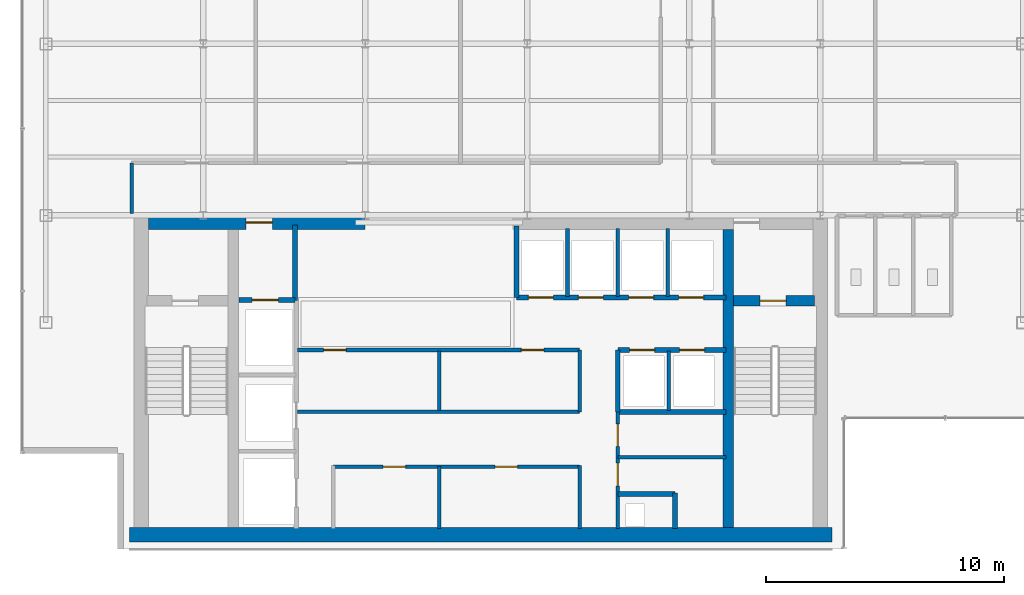
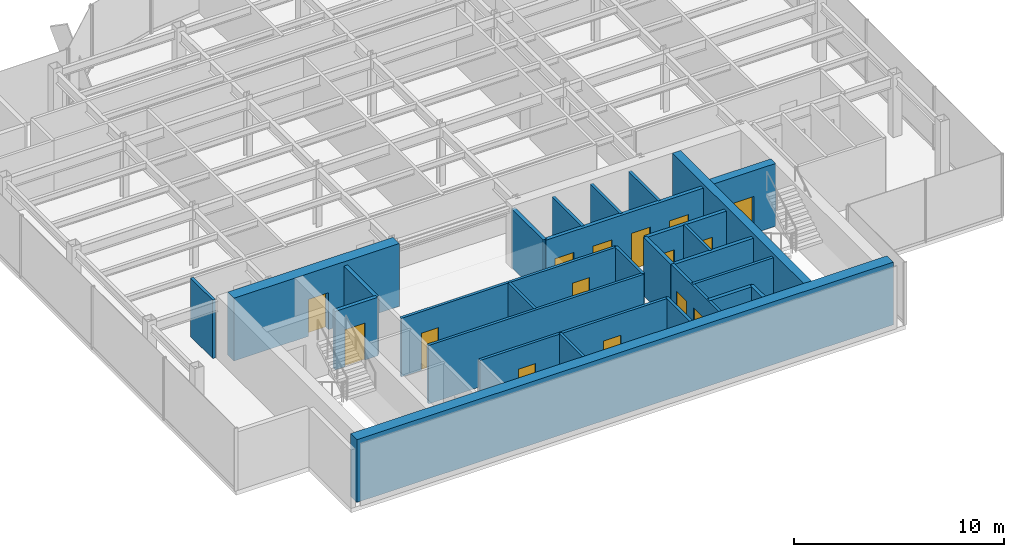
# One storey, part 17 of 22: 27 walls, 15 doors, 15 openings.
"""IFC4 building model written with IfcOpenShell, lengths in metres."""

from ifc_helpers import new_model, si_unit, derived_unit, direction, frame, frame_2d, origin, place, context, subcontext, project, spatial, rectangle, extrude, source, transform, mapped, material, layer, layer_set, type_object, element, fill, save


model = new_model("IFC4")

# Units and contexts
model_context = context("Model", 3, precision=1e-05, world=origin(), true_north=direction((0.0, 1.0)))
body_context = subcontext(model_context, "Body", "Model", "MODEL_VIEW")
ifc_project = project(units=[si_unit("LENGTHUNIT", "METRE"), si_unit("AREAUNIT", "SQUARE_METRE"), si_unit("VOLUMEUNIT", "CUBIC_METRE"), si_unit("PLANEANGLEUNIT", "RADIAN"), si_unit("MASSUNIT", "GRAM", prefix="KILO"), derived_unit("THERMALTRANSMITTANCEUNIT", [(si_unit("POWERUNIT", "WATT"), 1), (si_unit("LENGTHUNIT", "METRE"), -2), (si_unit("THERMODYNAMICTEMPERATUREUNIT", "KELVIN"), -1)])], contexts=[model_context])

# Site, building, storey
site_placement = place(None, origin())
site = spatial("IfcSite", under=ifc_project, at=site_placement, CompositionType="ELEMENT")
building_placement = place(site_placement, origin())
building = spatial("IfcBuilding", under=site, at=building_placement, Name="Skarnbrae Concourse Arena and Tower", CompositionType="ELEMENT")
storey_placement = place(building_placement, frame((0.0, 0.0, 203.199951171875)))
storey = spatial("IfcBuildingStorey", under=building, at=storey_placement, Name="L52", CompositionType="ELEMENT", Elevation=203.199951171875)

# Wall, opening, door
ifc_material_1 = material(Name="Concrete 50 MPa (C50/60)", Category="concrete")
ifc_layer_1 = layer(ifc_material_1, 0.449951171875)
ifc_layer_set_1 = layer_set([ifc_layer_1], Name="Concrete 50 MPa (C50/60)")
wall_type_1 = type_object("IfcWallType", Name="WALL-CORE-450-C50", PredefinedType="SHEAR", material=ifc_layer_set_1)
shared_shape_1 = source(origin(), body_context, "Body", "SweptSolid", [
    extrude(rectangle(XDim=3.389892578125, YDim=0.449951171875, at=frame_2d((1.69482421875, 0.0))), origin(), (0.0, 0.0, 1.0), 3.650146484375),
])
wall_1_placement = place(storey_placement, frame((29.860107421875, 10.419921875, 0.0), z_axis=(0.0, 0.0, 1.0), x_axis=(1.0, 0.0, 0.0)))
wall_1 = element("IfcWall", 1, at=wall_1_placement, inside=storey, type_object=wall_type_1, Name="L52 Rear core shear wall CW-ST2-N", PredefinedType="SHEAR", context=body_context, shape_type="MappedRepresentation", body=[
    mapped(shared_shape_1, transform((0.0, 0.0, 0.0))),
])
opening_1_placement = place(wall_1_placement, frame((1.10009765625, 0.0, 0.0)))
opening_1 = element("IfcOpeningElement", 2, at=opening_1_placement, cuts=wall_1, Name="Opening DT-03", PredefinedType="OPENING", context=body_context, shape_type="SweptSolid", body=[
    extrude(rectangle(XDim=1.10009765625, YDim=2.14990234375, at=frame_2d((0.550048828125, 1.074951171875))), frame((0.0, 0.23486328125, 0.0), z_axis=(0.0, -1.0, 0.0), x_axis=(1.0, 0.0, 0.0)), (0.0, 0.0, 1.0), 0.469970703125),
])
ifc_material_2 = material(Name="Steel CSA G40.21 350W", Category="steel")
door_type_1 = type_object("IfcDoorType", Name="DOOR-FIRE-1100-90M", OperationType="NOTDEFINED", PredefinedType="DOOR", material=ifc_material_2)
shared_shape_2 = source(origin(), body_context, "Body", "SweptSolid", [
    extrude(rectangle(XDim=1.10009765625, YDim=2.14990234375, at=frame_2d((0.550048828125, 1.074951171875))), frame((0.0, 0.02490234375, 0.0), z_axis=(0.0, -1.0, 0.0), x_axis=(1.0, 0.0, 0.0)), (0.0, 0.0, 1.0), 0.050048828125),
])
door_1_placement = place(opening_1_placement, frame((1.10009765625, 0.0, 0.0), z_axis=(0.0, 0.0, 1.0), x_axis=(-1.0, 0.0, 0.0)))
door_1 = element("IfcDoor", 3, at=door_1_placement, inside=storey, type_object=door_type_1, Name="D-1584 Stair ST-2 Door", OperationType="SINGLE_SWING_RIGHT", OverallHeight=2.14990234375, OverallWidth=1.10009765625, PredefinedType="DOOR", context=body_context, shape_type="MappedRepresentation", body=[
    mapped(shared_shape_2, transform((0.0, 0.0, 0.0))),
])
fill(opening_1, door_1)

# Wall
ifc_layer_2 = layer(ifc_material_1, 0.60009765625)
ifc_layer_set_2 = layer_set([ifc_layer_2], Name="Concrete 50 MPa (C50/60)")
wall_type_2 = type_object("IfcWallType", Name="WALL-CORE-600-C50", PredefinedType="SHEAR", material=ifc_layer_set_2)
shared_shape_3 = source(origin(), body_context, "Body", "SweptSolid", [
    extrude(rectangle(XDim=29.5, YDim=0.60009765625, at=frame_2d((14.75, 0.0))), origin(), (0.0, 0.0, 1.0), 3.650146484375),
])
wall_2_placement = place(storey_placement, frame((4.5, 0.60009765625, 0.0), z_axis=(0.0, 0.0, 1.0), x_axis=(1.0, 0.0, 0.0)))
element("IfcWall", 4, at=wall_2_placement, inside=storey, type_object=wall_type_2, Name="L52 Rear core shear wall CW-S", PredefinedType="SHEAR", context=body_context, shape_type="MappedRepresentation", body=[
    mapped(shared_shape_3, transform((0.0, 0.0, 0.0))),
])

# Wall, opening, door
shared_shape_4 = source(origin(), body_context, "Body", "SweptSolid", [
    extrude(rectangle(XDim=9.099853515625, YDim=0.60009765625, at=frame_2d((4.5498046875, 0.0))), origin(), (0.0, 0.0, 1.0), 3.650146484375),
])
wall_3_placement = place(storey_placement, frame((5.300048828125, 13.699951171875, 0.0), z_axis=(0.0, 0.0, 1.0), x_axis=(1.0, 0.0, 0.0)))
wall_3 = element("IfcWall", 5, at=wall_3_placement, inside=storey, type_object=wall_type_2, Name="L52 Rear core shear wall CW-NW", PredefinedType="SHEAR", context=body_context, shape_type="MappedRepresentation", body=[
    mapped(shared_shape_4, transform((0.0, 0.0, 0.0))),
])
opening_2_placement = place(wall_3_placement, frame((4.10009765625, 0.0, 0.0)))
opening_2 = element("IfcOpeningElement", 6, at=opening_2_placement, cuts=wall_3, Name="Opening DT-03", PredefinedType="OPENING", context=body_context, shape_type="SweptSolid", body=[
    extrude(rectangle(XDim=1.10009765625, YDim=2.14990234375, at=frame_2d((0.550048828125, 1.074951171875))), frame((0.0, 0.31005859375, 0.0), z_axis=(0.0, -1.0, 0.0), x_axis=(1.0, 0.0, 0.0)), (0.0, 0.0, 1.0), 0.6201171875),
])
door_2_placement = place(opening_2_placement, origin())
door_2 = element("IfcDoor", 7, at=door_2_placement, inside=storey, type_object=door_type_1, Name="D-1585 Firefighting Lobby Exit Door", OperationType="SINGLE_SWING_RIGHT", OverallHeight=2.14990234375, OverallWidth=1.10009765625, PredefinedType="DOOR", context=body_context, shape_type="MappedRepresentation", body=[
    mapped(shared_shape_2, transform((0.0, 0.0, 0.0))),
])
fill(opening_2, door_2)

# Walls
shared_shape_5 = source(origin(), body_context, "Body", "SweptSolid", [
    extrude(rectangle(XDim=12.5, YDim=0.449951171875, at=frame_2d((6.25, 0.0))), origin(), (0.0, 0.0, 1.0), 3.650146484375),
])
wall_4_placement = place(storey_placement, frame((29.635009765625, 0.89990234375, 0.0), z_axis=(0.0, 0.0, 1.0), x_axis=(0.0, 1.0, 0.0)))
element("IfcWall", 8, at=wall_4_placement, inside=storey, type_object=wall_type_1, Name="L52 Rear core shear wall CW-WEB-E", PredefinedType="SHEAR", context=body_context, shape_type="MappedRepresentation", body=[
    mapped(shared_shape_5, transform((0.0, 0.0, 0.0))),
])
ifc_material_3 = material(Name="Gypsum board on cold-formed steel studs", Category="steel")
ifc_layer_3 = layer(ifc_material_3, 0.199951171875)
ifc_layer_set_3 = layer_set([ifc_layer_3], Name="Gypsum board on cold-formed steel studs")
wall_type_3 = type_object("IfcWallType", Name="WALL-PART-200-2HR", PredefinedType="PARTITIONING", material=ifc_layer_set_3)
shared_shape_6 = source(origin(), body_context, "Body", "SweptSolid", [
    extrude(rectangle(XDim=3.18017578125, YDim=0.199951171875, at=frame_2d((1.590087890625, 0.0))), origin(), (0.0, 0.0, 1.0), 3.400146484375),
])
wall_5_placement = place(storey_placement, frame((11.449951171875, 10.419921875, 0.0), z_axis=(0.0, 0.0, 1.0), x_axis=(0.0, 1.0, 0.0)))
element("IfcWall", 9, at=wall_5_placement, inside=storey, type_object=wall_type_3, Name="L52 Interior partition wall W-L52-FFL-E", PredefinedType="PARTITIONING", context=body_context, shape_type="MappedRepresentation", body=[
    mapped(shared_shape_6, transform((0.0, 0.0, 0.0))),
])

# Wall, opening, door
shared_shape_7 = source(origin(), body_context, "Body", "SweptSolid", [
    extrude(rectangle(XDim=2.349853515625, YDim=0.199951171875, at=frame_2d((1.1748046875, 0.0))), origin(), (0.0, 0.0, 1.0), 3.400146484375),
])
wall_6_placement = place(storey_placement, frame((9.10009765625, 10.449951171875, 0.0), z_axis=(0.0, 0.0, 1.0), x_axis=(1.0, 0.0, 0.0)))
wall_6 = element("IfcWall", 10, at=wall_6_placement, inside=storey, type_object=wall_type_3, Name="L52 Interior partition wall W-L52-FL1-N", PredefinedType="PARTITIONING", context=body_context, shape_type="MappedRepresentation", body=[
    mapped(shared_shape_7, transform((0.0, 0.0, 0.0))),
])
opening_3_placement = place(wall_6_placement, frame((0.550048828125, 0.0, 0.0)))
opening_3 = element("IfcOpeningElement", 11, at=opening_3_placement, cuts=wall_6, Name="Opening LD-01", PredefinedType="OPENING", context=body_context, shape_type="SweptSolid", body=[
    extrude(rectangle(XDim=1.10009765625, YDim=2.14990234375, at=frame_2d((0.550048828125, 1.074951171875))), frame((0.0, 0.10986328125, 0.0), z_axis=(0.0, -1.0, 0.0), x_axis=(1.0, 0.0, 0.0)), (0.0, 0.0, 1.0), 0.219970703125),
])
door_type_2 = type_object("IfcDoorType", Name="DOOR-LIFT-SLIDE-1100", OperationType="SLIDING_TO_LEFT", PredefinedType="DOOR", material=ifc_material_2)
door_3_placement = place(opening_3_placement, origin())
door_3 = element("IfcDoor", 12, at=door_3_placement, inside=storey, type_object=door_type_2, Name="D-1587 Firefighting Lift Landing Door FL-01", OperationType="SLIDING_TO_LEFT", OverallHeight=2.14990234375, OverallWidth=1.10009765625, PredefinedType="DOOR", context=body_context, shape_type="MappedRepresentation", body=[
    mapped(shared_shape_2, transform((0.0, 0.0, 0.0))),
])
fill(opening_3, door_3)

# Walls
ifc_layer_4 = layer(ifc_material_3, 0.14990234375)
ifc_layer_set_4 = layer_set([ifc_layer_4], Name="Gypsum board on cold-formed steel studs")
wall_type_4 = type_object("IfcWallType", Name="WALL-PART-150", PredefinedType="PARTITIONING", material=ifc_layer_set_4)
shared_shape_8 = source(origin(), body_context, "Body", "SweptSolid", [
    extrude(rectangle(XDim=2.599853515625, YDim=0.14990234375, at=frame_2d((1.2998046875, 0.0))), origin(), (0.0, 0.0, 1.0), 3.400146484375),
])
wall_7_placement = place(storey_placement, frame((17.5, 0.85009765625, 0.0), z_axis=(0.0, 0.0, 1.0), x_axis=(0.0, 1.0, 0.0)))
element("IfcWall", 13, at=wall_7_placement, inside=storey, type_object=wall_type_4, Name="L52 Interior partition wall W-L52-B1M-C1", PredefinedType="PARTITIONING", context=body_context, shape_type="MappedRepresentation", body=[
    mapped(shared_shape_8, transform((0.0, 0.0, 0.0))),
])
shared_shape_9 = source(origin(), body_context, "Body", "SweptSolid", [
    extrude(rectangle(XDim=2.60009765625, YDim=0.199951171875, at=frame_2d((1.300048828125, 0.0))), origin(), (0.0, 0.0, 1.0), 3.400146484375),
])
wall_8_placement = place(storey_placement, frame((25.0, 5.75, 0.0), z_axis=(0.0, 0.0, 1.0), x_axis=(0.0, 1.0, 0.0)))
element("IfcWall", 14, at=wall_8_placement, inside=storey, type_object=wall_type_3, Name="L52 Interior partition wall W-L52-B3S-W", PredefinedType="PARTITIONING", context=body_context, shape_type="MappedRepresentation", body=[
    mapped(shared_shape_9, transform((0.0, 0.0, 0.0))),
])
shared_shape_10 = source(origin(), body_context, "Body", "SweptSolid", [
    extrude(rectangle(XDim=2.5, YDim=0.14990234375, at=frame_2d((1.25, 0.0))), origin(), (0.0, 0.0, 1.0), 3.400146484375),
])
for number, where, z_axis, x_axis, name in (
    (15, (17.5, 5.800048828125, 0.0), (0.0, 0.0, 1.0), (0.0, 1.0, 0.0), "L52 Interior partition wall W-L52-B2M-MID"),
    (16, (27.139892578125, 5.800048828125, 0.0), (0.0, 0.0, 1.0), (0.0, 1.0, 0.0), "L52 Interior partition wall W-L52-B3S-P1"),
):
    element("IfcWall", number, at=place(storey_placement, frame(where, z_axis=z_axis, x_axis=x_axis)), inside=storey, type_object=wall_type_4, Name=name, PredefinedType="PARTITIONING", context=body_context, shape_type="MappedRepresentation", body=[
        mapped(shared_shape_10, transform((0.0, 0.0, 0.0))),
    ])

# Wall, openings, doors
shared_shape_11 = source(origin(), body_context, "Body", "SweptSolid", [
    extrude(rectangle(XDim=8.800048828125, YDim=0.199951171875, at=frame_2d((4.39990234375, 0.0))), origin(), (0.0, 0.0, 1.0), 3.400146484375),
])
wall_9_placement = place(storey_placement, frame((20.75, 10.550048828125, 0.0), z_axis=(0.0, 0.0, 1.0), x_axis=(1.0, 0.0, 0.0)))
wall_9 = element("IfcWall", 17, at=wall_9_placement, inside=storey, type_object=wall_type_3, Name="L52 Interior partition wall W-L52-B3N-S", PredefinedType="PARTITIONING", context=body_context, shape_type="MappedRepresentation", body=[
    mapped(shared_shape_11, transform((0.0, 0.0, 0.0))),
])
opening_4_placement = place(wall_9_placement, frame((0.5, 0.0, 0.0)))
opening_4 = element("IfcOpeningElement", 18, at=opening_4_placement, cuts=wall_9, Name="Opening LD-04", PredefinedType="OPENING", context=body_context, shape_type="SweptSolid", body=[
    extrude(rectangle(XDim=1.050048828125, YDim=2.14990234375, at=frame_2d((0.52490234375, 1.074951171875))), frame((0.0, 0.10986328125, 0.0), z_axis=(0.0, -1.0, 0.0), x_axis=(1.0, 0.0, 0.0)), (0.0, 0.0, 1.0), 0.219970703125),
])
opening_5_placement = place(wall_9_placement, frame((2.60009765625, 0.0, 0.0)))
opening_5 = element("IfcOpeningElement", 19, at=opening_5_placement, cuts=wall_9, Name="Opening LD-04", PredefinedType="OPENING", context=body_context, shape_type="SweptSolid", body=[
    extrude(rectangle(XDim=1.050048828125, YDim=2.14990234375, at=frame_2d((0.52490234375, 1.074951171875))), frame((0.0, 0.10986328125, 0.0), z_axis=(0.0, -1.0, 0.0), x_axis=(1.0, 0.0, 0.0)), (0.0, 0.0, 1.0), 0.219970703125),
])
opening_6_placement = place(wall_9_placement, frame((4.699951171875, 0.0, 0.0)))
opening_6 = element("IfcOpeningElement", 20, at=opening_6_placement, cuts=wall_9, Name="Opening LD-04", PredefinedType="OPENING", context=body_context, shape_type="SweptSolid", body=[
    extrude(rectangle(XDim=1.050048828125, YDim=2.14990234375, at=frame_2d((0.52490234375, 1.074951171875))), frame((0.0, 0.10986328125, 0.0), z_axis=(0.0, -1.0, 0.0), x_axis=(1.0, 0.0, 0.0)), (0.0, 0.0, 1.0), 0.219970703125),
])
opening_7_placement = place(wall_9_placement, frame((6.800048828125, 0.0, 0.0)))
opening_7 = element("IfcOpeningElement", 21, at=opening_7_placement, cuts=wall_9, Name="Opening LD-04", PredefinedType="OPENING", context=body_context, shape_type="SweptSolid", body=[
    extrude(rectangle(XDim=1.050048828125, YDim=2.14990234375, at=frame_2d((0.52490234375, 1.074951171875))), frame((0.0, 0.10986328125, 0.0), z_axis=(0.0, -1.0, 0.0), x_axis=(1.0, 0.0, 0.0)), (0.0, 0.0, 1.0), 0.219970703125),
])
ifc_material_4 = material(Name="Bronze anodised aluminium 6063-T6", Category="aluminium")
door_type_3 = type_object("IfcDoorType", Name="DOOR-LIFT-SLIDE-1050H", OperationType="SLIDING_TO_LEFT", PredefinedType="DOOR", material=ifc_material_4)
shared_shape_12 = source(origin(), body_context, "Body", "SweptSolid", [
    extrude(rectangle(XDim=1.050048828125, YDim=2.14990234375, at=frame_2d((0.52490234375, 1.074951171875))), frame((0.0, 0.02490234375, 0.0), z_axis=(0.0, -1.0, 0.0), x_axis=(1.0, 0.0, 0.0)), (0.0, 0.0, 1.0), 0.050048828125),
])
door_4_placement = place(opening_4_placement, frame((1.050048828125, 0.0, 0.0), z_axis=(0.0, 0.0, 1.0), x_axis=(-1.0, 0.0, 0.0)))
door_4 = element("IfcDoor", 22, at=door_4_placement, inside=storey, type_object=door_type_3, Name="D-1594 Passenger Lift Landing Door PL-3A", OperationType="SLIDING_TO_LEFT", OverallHeight=2.14990234375, OverallWidth=1.050048828125, PredefinedType="DOOR", context=body_context, shape_type="MappedRepresentation", body=[
    mapped(shared_shape_12, transform((0.0, 0.0, 0.0))),
])
fill(opening_4, door_4)
door_5_placement = place(opening_5_placement, frame((1.050048828125, 0.0, 0.0), z_axis=(0.0, 0.0, 1.0), x_axis=(-1.0, 0.0, 0.0)))
door_5 = element("IfcDoor", 23, at=door_5_placement, inside=storey, type_object=door_type_3, Name="D-1595 Passenger Lift Landing Door PL-3B", OperationType="SLIDING_TO_LEFT", OverallHeight=2.14990234375, OverallWidth=1.050048828125, PredefinedType="DOOR", context=body_context, shape_type="MappedRepresentation", body=[
    mapped(shared_shape_12, transform((0.0, 0.0, 0.0))),
])
fill(opening_5, door_5)
door_6_placement = place(opening_6_placement, frame((1.050048828125, 0.0, 0.0), z_axis=(0.0, 0.0, 1.0), x_axis=(-1.0, 0.0, 0.0)))
door_6 = element("IfcDoor", 24, at=door_6_placement, inside=storey, type_object=door_type_3, Name="D-1596 Passenger Lift Landing Door PL-3C", OperationType="SLIDING_TO_LEFT", OverallHeight=2.14990234375, OverallWidth=1.050048828125, PredefinedType="DOOR", context=body_context, shape_type="MappedRepresentation", body=[
    mapped(shared_shape_12, transform((0.0, 0.0, 0.0))),
])
fill(opening_6, door_6)
door_7_placement = place(opening_7_placement, frame((1.050048828125, 0.0, 0.0), z_axis=(0.0, 0.0, 1.0), x_axis=(-1.0, 0.0, 0.0)))
door_7 = element("IfcDoor", 25, at=door_7_placement, inside=storey, type_object=door_type_3, Name="D-1597 Passenger Lift Landing Door PL-3D", OperationType="SLIDING_TO_LEFT", OverallHeight=2.14990234375, OverallWidth=1.050048828125, PredefinedType="DOOR", context=body_context, shape_type="MappedRepresentation", body=[
    mapped(shared_shape_12, transform((0.0, 0.0, 0.0))),
])
fill(opening_7, door_7)

# Walls
shared_shape_13 = source(origin(), body_context, "Body", "SweptSolid", [
    extrude(rectangle(XDim=3.0, YDim=0.199951171875, at=frame_2d((1.5, 0.0))), origin(), (0.0, 0.0, 1.0), 3.400146484375),
])
wall_10_placement = place(storey_placement, frame((20.75, 10.550048828125, 0.0), z_axis=(0.0, 0.0, 1.0), x_axis=(0.0, 1.0, 0.0)))
element("IfcWall", 26, at=wall_10_placement, inside=storey, type_object=wall_type_3, Name="L52 Interior partition wall W-L52-B3N-W", PredefinedType="PARTITIONING", context=body_context, shape_type="MappedRepresentation", body=[
    mapped(shared_shape_13, transform((0.0, 0.0, 0.0))),
])
shared_shape_14 = source(origin(), body_context, "Body", "SweptSolid", [
    extrude(rectangle(XDim=2.849853515625, YDim=0.14990234375, at=frame_2d((1.4248046875, 0.0))), origin(), (0.0, 0.0, 1.0), 3.400146484375),
])
for number, where, z_axis, x_axis, name in (
    (27, (22.889892578125, 10.60009765625, 0.0), (0.0, 0.0, 1.0), (0.0, 1.0, 0.0), "L52 Interior partition wall W-L52-B3N-P1"),
    (28, (24.989990234375, 10.60009765625, 0.0), (0.0, 0.0, 1.0), (0.0, 1.0, 0.0), "L52 Interior partition wall W-L52-B3N-P2"),
    (29, (27.090087890625, 10.60009765625, 0.0), (0.0, 0.0, 1.0), (0.0, 1.0, 0.0), "L52 Interior partition wall W-L52-B3N-P3"),
):
    element("IfcWall", number, at=place(storey_placement, frame(where, z_axis=z_axis, x_axis=x_axis)), inside=storey, type_object=wall_type_4, Name=name, PredefinedType="PARTITIONING", context=body_context, shape_type="MappedRepresentation", body=[
        mapped(shared_shape_14, transform((0.0, 0.0, 0.0))),
    ])

# Wall, openings, doors
shared_shape_15 = source(origin(), body_context, "Body", "SweptSolid", [
    extrude(rectangle(XDim=4.550048828125, YDim=0.199951171875, at=frame_2d((2.27490234375, 0.0))), origin(), (0.0, 0.0, 1.0), 3.400146484375),
])
wall_11_placement = place(storey_placement, frame((25.0, 8.35009765625, 0.0), z_axis=(0.0, 0.0, 1.0), x_axis=(1.0, 0.0, 0.0)))
wall_11 = element("IfcWall", 30, at=wall_11_placement, inside=storey, type_object=wall_type_3, Name="L52 Interior partition wall W-L52-B3S-N", PredefinedType="PARTITIONING", context=body_context, shape_type="MappedRepresentation", body=[
    mapped(shared_shape_15, transform((0.0, 0.0, 0.0))),
])
opening_8_placement = place(wall_11_placement, frame((0.5, 0.0, 0.0)))
opening_8 = element("IfcOpeningElement", 31, at=opening_8_placement, cuts=wall_11, Name="Opening LD-04", PredefinedType="OPENING", context=body_context, shape_type="SweptSolid", body=[
    extrude(rectangle(XDim=1.050048828125, YDim=2.14990234375, at=frame_2d((0.52490234375, 1.074951171875))), frame((0.0, 0.10986328125, 0.0), z_axis=(0.0, -1.0, 0.0), x_axis=(1.0, 0.0, 0.0)), (0.0, 0.0, 1.0), 0.219970703125),
])
opening_9_placement = place(wall_11_placement, frame((2.60009765625, 0.0, 0.0)))
opening_9 = element("IfcOpeningElement", 32, at=opening_9_placement, cuts=wall_11, Name="Opening LD-04", PredefinedType="OPENING", context=body_context, shape_type="SweptSolid", body=[
    extrude(rectangle(XDim=1.050048828125, YDim=2.14990234375, at=frame_2d((0.52490234375, 1.074951171875))), frame((0.0, 0.10986328125, 0.0), z_axis=(0.0, -1.0, 0.0), x_axis=(1.0, 0.0, 0.0)), (0.0, 0.0, 1.0), 0.219970703125),
])
door_8_placement = place(opening_8_placement, origin())
door_8 = element("IfcDoor", 33, at=door_8_placement, inside=storey, type_object=door_type_3, Name="D-1598 Passenger Lift Landing Door PL-3E", OperationType="SLIDING_TO_LEFT", OverallHeight=2.14990234375, OverallWidth=1.050048828125, PredefinedType="DOOR", context=body_context, shape_type="MappedRepresentation", body=[
    mapped(shared_shape_12, transform((0.0, 0.0, 0.0))),
])
fill(opening_8, door_8)
door_9_placement = place(opening_9_placement, origin())
door_9 = element("IfcDoor", 34, at=door_9_placement, inside=storey, type_object=door_type_3, Name="D-1599 Passenger Lift Landing Door PL-3F", OperationType="SLIDING_TO_LEFT", OverallHeight=2.14990234375, OverallWidth=1.050048828125, PredefinedType="DOOR", context=body_context, shape_type="MappedRepresentation", body=[
    mapped(shared_shape_12, transform((0.0, 0.0, 0.0))),
])
fill(opening_9, door_9)

# Wall
wall_12_placement = place(storey_placement, frame((25.0, 5.75, 0.0), z_axis=(0.0, 0.0, 1.0), x_axis=(1.0, 0.0, 0.0)))
element("IfcWall", 35, at=wall_12_placement, inside=storey, type_object=wall_type_3, Name="L52 Interior partition wall W-L52-B3S-S", PredefinedType="PARTITIONING", context=body_context, shape_type="MappedRepresentation", body=[
    mapped(shared_shape_15, transform((0.0, 0.0, 0.0))),
])

# Wall, openings, doors
ifc_layer_5 = layer(ifc_material_3, 0.14990234375)
ifc_layer_set_5 = layer_set([ifc_layer_5], Name="Gypsum board on cold-formed steel studs")
wall_type_5 = type_object("IfcWallType", Name="WALL-PART-150-1HR", PredefinedType="PARTITIONING", material=ifc_layer_set_5)
shared_shape_16 = source(origin(), body_context, "Body", "SweptSolid", [
    extrude(rectangle(XDim=4.89990234375, YDim=0.14990234375, at=frame_2d((2.449951171875, 0.0))), origin(), (0.0, 0.0, 1.0), 3.400146484375),
])
wall_13_placement = place(storey_placement, frame((25.0, 0.85009765625, 0.0), z_axis=(0.0, 0.0, 1.0), x_axis=(0.0, 1.0, 0.0)))
wall_13 = element("IfcWall", 36, at=wall_13_placement, inside=storey, type_object=wall_type_5, Name="L52 Interior partition wall W-L52-CSV-W", PredefinedType="PARTITIONING", context=body_context, shape_type="MappedRepresentation", body=[
    mapped(shared_shape_16, transform((0.0, 0.0, 0.0))),
])
opening_10_placement = place(wall_13_placement, frame((1.800048828125, 0.0, 0.0)))
opening_10 = element("IfcOpeningElement", 37, at=opening_10_placement, cuts=wall_13, Name="Opening DT-04", PredefinedType="OPENING", context=body_context, shape_type="SweptSolid", body=[
    extrude(rectangle(XDim=0.949951171875, YDim=2.14990234375, at=frame_2d((0.47509765625, 1.074951171875))), frame((0.0, 0.0849609375, 0.0), z_axis=(0.0, -1.0, 0.0), x_axis=(1.0, 0.0, 0.0)), (0.0, 0.0, 1.0), 0.169921875),
])
opening_11_placement = place(wall_13_placement, frame((3.449951171875, 0.0, 0.0)))
opening_11 = element("IfcOpeningElement", 38, at=opening_11_placement, cuts=wall_13, Name="Opening DT-04", PredefinedType="OPENING", context=body_context, shape_type="SweptSolid", body=[
    extrude(rectangle(XDim=0.949951171875, YDim=2.14990234375, at=frame_2d((0.47509765625, 1.074951171875))), frame((0.0, 0.0849609375, 0.0), z_axis=(0.0, -1.0, 0.0), x_axis=(1.0, 0.0, 0.0)), (0.0, 0.0, 1.0), 0.169921875),
])
door_type_4 = type_object("IfcDoorType", Name="DOOR-INT-950-45M", OperationType="NOTDEFINED", PredefinedType="DOOR", material=ifc_material_2)
shared_shape_17 = source(origin(), body_context, "Body", "SweptSolid", [
    extrude(rectangle(XDim=0.949951171875, YDim=2.14990234375, at=frame_2d((0.47509765625, 1.074951171875))), frame((0.0, 0.02490234375, 0.0), z_axis=(0.0, -1.0, 0.0), x_axis=(1.0, 0.0, 0.0)), (0.0, 0.0, 1.0), 0.050048828125),
])
door_10_placement = place(opening_10_placement, origin())
door_10 = element("IfcDoor", 39, at=door_10_placement, inside=storey, type_object=door_type_4, Name="D-1600 Electrical Switch Room Door", OperationType="SINGLE_SWING_LEFT", OverallHeight=2.14990234375, OverallWidth=0.949951171875, PredefinedType="DOOR", context=body_context, shape_type="MappedRepresentation", body=[
    mapped(shared_shape_17, transform((0.0, 0.0, 0.0))),
])
fill(opening_10, door_10)
door_11_placement = place(opening_11_placement, origin())
door_11 = element("IfcDoor", 40, at=door_11_placement, inside=storey, type_object=door_type_4, Name="D-1601 Cleaner Store Door", OperationType="SINGLE_SWING_RIGHT", OverallHeight=2.14990234375, OverallWidth=0.949951171875, PredefinedType="DOOR", context=body_context, shape_type="MappedRepresentation", body=[
    mapped(shared_shape_17, transform((0.0, 0.0, 0.0))),
])
fill(opening_11, door_11)

# Walls
shared_shape_18 = source(origin(), body_context, "Body", "SweptSolid", [
    extrude(rectangle(XDim=2.39990234375, YDim=0.199951171875, at=frame_2d((1.199951171875, 0.0))), origin(), (0.0, 0.0, 1.0), 3.400146484375),
])
wall_14_placement = place(storey_placement, frame((25.0, 2.300048828125, 0.0), z_axis=(0.0, 0.0, 1.0), x_axis=(1.0, 0.0, 0.0)))
element("IfcWall", 41, at=wall_14_placement, inside=storey, type_object=wall_type_3, Name="L52 Interior partition wall W-L52-MEP-N", PredefinedType="PARTITIONING", context=body_context, shape_type="MappedRepresentation", body=[
    mapped(shared_shape_18, transform((0.0, 0.0, 0.0))),
])
shared_shape_19 = source(origin(), body_context, "Body", "SweptSolid", [
    extrude(rectangle(XDim=1.5, YDim=0.199951171875, at=frame_2d((0.75, 0.0))), origin(), (0.0, 0.0, 1.0), 3.400146484375),
])
wall_15_placement = place(storey_placement, frame((27.39990234375, 0.85009765625, 0.0), z_axis=(0.0, 0.0, 1.0), x_axis=(0.0, 1.0, 0.0)))
element("IfcWall", 42, at=wall_15_placement, inside=storey, type_object=wall_type_3, Name="L52 Interior partition wall W-L52-MEP-E", PredefinedType="PARTITIONING", context=body_context, shape_type="MappedRepresentation", body=[
    mapped(shared_shape_19, transform((0.0, 0.0, 0.0))),
])
shared_shape_20 = source(origin(), body_context, "Body", "SweptSolid", [
    extrude(rectangle(XDim=4.550048828125, YDim=0.14990234375, at=frame_2d((2.27490234375, 0.0))), origin(), (0.0, 0.0, 1.0), 3.400146484375),
])
wall_16_placement = place(storey_placement, frame((25.0, 3.85009765625, 0.0), z_axis=(0.0, 0.0, 1.0), x_axis=(1.0, 0.0, 0.0)))
element("IfcWall", 43, at=wall_16_placement, inside=storey, type_object=wall_type_4, Name="L52 Interior partition wall W-L52-CSV-H", PredefinedType="PARTITIONING", context=body_context, shape_type="MappedRepresentation", body=[
    mapped(shared_shape_20, transform((0.0, 0.0, 0.0))),
])
shared_shape_21 = source(origin(), body_context, "Body", "SweptSolid", [
    extrude(rectangle(XDim=2.64990234375, YDim=0.14990234375, at=frame_2d((1.324951171875, 0.0))), origin(), (0.0, 0.0, 1.0), 3.400146484375),
])
wall_17_placement = place(storey_placement, frame((23.39990234375, 0.85009765625, 0.0), z_axis=(0.0, 0.0, 1.0), x_axis=(0.0, 1.0, 0.0)))
element("IfcWall", 44, at=wall_17_placement, inside=storey, type_object=wall_type_5, Name="L52 Interior partition wall W-L52-B1M-E", PredefinedType="PARTITIONING", context=body_context, shape_type="MappedRepresentation", body=[
    mapped(shared_shape_21, transform((0.0, 0.0, 0.0))),
])

# Wall, openings, doors
shared_shape_22 = source(origin(), body_context, "Body", "SweptSolid", [
    extrude(rectangle(XDim=10.349853515625, YDim=0.14990234375, at=frame_2d((5.1748046875, 0.0))), origin(), (0.0, 0.0, 1.0), 3.400146484375),
])
wall_18_placement = place(storey_placement, frame((13.050048828125, 3.449951171875, 0.0), z_axis=(0.0, 0.0, 1.0), x_axis=(1.0, 0.0, 0.0)))
wall_18 = element("IfcWall", 45, at=wall_18_placement, inside=storey, type_object=wall_type_5, Name="L52 Interior partition wall W-L52-B1M-N", PredefinedType="PARTITIONING", context=body_context, shape_type="MappedRepresentation", body=[
    mapped(shared_shape_22, transform((0.0, 0.0, 0.0))),
])
opening_12_placement = place(wall_18_placement, frame((2.10009765625, 0.0, 0.0)))
opening_12 = element("IfcOpeningElement", 46, at=opening_12_placement, cuts=wall_18, Name="Opening DT-04", PredefinedType="OPENING", context=body_context, shape_type="SweptSolid", body=[
    extrude(rectangle(XDim=0.949951171875, YDim=2.14990234375, at=frame_2d((0.47509765625, 1.074951171875))), frame((0.0, 0.0849609375, 0.0), z_axis=(0.0, -1.0, 0.0), x_axis=(1.0, 0.0, 0.0)), (0.0, 0.0, 1.0), 0.169921875),
])
opening_13_placement = place(wall_18_placement, frame((6.800048828125, 0.0, 0.0)))
opening_13 = element("IfcOpeningElement", 47, at=opening_13_placement, cuts=wall_18, Name="Opening DT-04", PredefinedType="OPENING", context=body_context, shape_type="SweptSolid", body=[
    extrude(rectangle(XDim=0.949951171875, YDim=2.14990234375, at=frame_2d((0.47509765625, 1.074951171875))), frame((0.0, 0.0849609375, 0.0), z_axis=(0.0, -1.0, 0.0), x_axis=(1.0, 0.0, 0.0)), (0.0, 0.0, 1.0), 0.169921875),
])
door_12_placement = place(opening_12_placement, origin())
door_12 = element("IfcDoor", 48, at=door_12_placement, inside=storey, type_object=door_type_4, Name="D-1590 Core IT Room Door", OperationType="SINGLE_SWING_LEFT", OverallHeight=2.14990234375, OverallWidth=0.949951171875, PredefinedType="DOOR", context=body_context, shape_type="MappedRepresentation", body=[
    mapped(shared_shape_17, transform((0.0, 0.0, 0.0))),
])
fill(opening_12, door_12)
door_13_placement = place(opening_13_placement, origin())
door_13 = element("IfcDoor", 49, at=door_13_placement, inside=storey, type_object=door_type_4, Name="D-1591 Core Records Store Door", OperationType="SINGLE_SWING_RIGHT", OverallHeight=2.14990234375, OverallWidth=0.949951171875, PredefinedType="DOOR", context=body_context, shape_type="MappedRepresentation", body=[
    mapped(shared_shape_17, transform((0.0, 0.0, 0.0))),
])
fill(opening_13, door_13)

# Wall
shared_shape_23 = source(origin(), body_context, "Body", "SweptSolid", [
    extrude(rectangle(XDim=11.849853515625, YDim=0.14990234375, at=frame_2d((5.9248046875, 0.0))), origin(), (0.0, 0.0, 1.0), 3.400146484375),
])
wall_19_placement = place(storey_placement, frame((11.550048828125, 5.75, 0.0), z_axis=(0.0, 0.0, 1.0), x_axis=(1.0, 0.0, 0.0)))
element("IfcWall", 50, at=wall_19_placement, inside=storey, type_object=wall_type_5, Name="L52 Interior partition wall W-L52-B2M-S", PredefinedType="PARTITIONING", context=body_context, shape_type="MappedRepresentation", body=[
    mapped(shared_shape_23, transform((0.0, 0.0, 0.0))),
])

# Wall, openings, doors
wall_20_placement = place(storey_placement, frame((11.550048828125, 8.35009765625, 0.0), z_axis=(0.0, 0.0, 1.0), x_axis=(1.0, 0.0, 0.0)))
wall_20 = element("IfcWall", 51, at=wall_20_placement, inside=storey, type_object=wall_type_5, Name="L52 Interior partition wall W-L52-B2M-N", PredefinedType="PARTITIONING", context=body_context, shape_type="MappedRepresentation", body=[
    mapped(shared_shape_23, transform((0.0, 0.0, 0.0))),
])
opening_14_placement = place(wall_20_placement, frame((1.10009765625, 0.0, 0.0)))
opening_14 = element("IfcOpeningElement", 52, at=opening_14_placement, cuts=wall_20, Name="Opening DT-04", PredefinedType="OPENING", context=body_context, shape_type="SweptSolid", body=[
    extrude(rectangle(XDim=0.949951171875, YDim=2.14990234375, at=frame_2d((0.47509765625, 1.074951171875))), frame((0.0, 0.0849609375, 0.0), z_axis=(0.0, -1.0, 0.0), x_axis=(1.0, 0.0, 0.0)), (0.0, 0.0, 1.0), 0.169921875),
])
opening_15_placement = place(wall_20_placement, frame((9.39990234375, 0.0, 0.0)))
opening_15 = element("IfcOpeningElement", 53, at=opening_15_placement, cuts=wall_20, Name="Opening DT-04", PredefinedType="OPENING", context=body_context, shape_type="SweptSolid", body=[
    extrude(rectangle(XDim=0.949951171875, YDim=2.14990234375, at=frame_2d((0.47509765625, 1.074951171875))), frame((0.0, 0.0849609375, 0.0), z_axis=(0.0, -1.0, 0.0), x_axis=(1.0, 0.0, 0.0)), (0.0, 0.0, 1.0), 0.169921875),
])
door_14_placement = place(opening_14_placement, origin())
door_14 = element("IfcDoor", 54, at=door_14_placement, inside=storey, type_object=door_type_4, Name="D-1592 High-Zone Data Door", OperationType="SINGLE_SWING_RIGHT", OverallHeight=2.14990234375, OverallWidth=0.949951171875, PredefinedType="DOOR", context=body_context, shape_type="MappedRepresentation", body=[
    mapped(shared_shape_17, transform((0.0, 0.0, 0.0))),
])
fill(opening_14, door_14)
door_15_placement = place(opening_15_placement, origin())
door_15 = element("IfcDoor", 55, at=door_15_placement, inside=storey, type_object=door_type_4, Name="D-1593 Reprographics Door", OperationType="SINGLE_SWING_LEFT", OverallHeight=2.14990234375, OverallWidth=0.949951171875, PredefinedType="DOOR", context=body_context, shape_type="MappedRepresentation", body=[
    mapped(shared_shape_17, transform((0.0, 0.0, 0.0))),
])
fill(opening_15, door_15)

# Walls
shared_shape_24 = source(origin(), body_context, "Body", "SweptSolid", [
    extrude(rectangle(XDim=2.60009765625, YDim=0.14990234375, at=frame_2d((1.300048828125, 0.0))), origin(), (0.0, 0.0, 1.0), 3.400146484375),
])
wall_21_placement = place(storey_placement, frame((23.39990234375, 5.75, 0.0), z_axis=(0.0, 0.0, 1.0), x_axis=(0.0, 1.0, 0.0)))
element("IfcWall", 56, at=wall_21_placement, inside=storey, type_object=wall_type_5, Name="L52 Interior partition wall W-L52-B2M-E", PredefinedType="PARTITIONING", context=body_context, shape_type="MappedRepresentation", body=[
    mapped(shared_shape_24, transform((0.0, 0.0, 0.0))),
])
shared_shape_25 = source(origin(), body_context, "Body", "SweptSolid", [
    extrude(rectangle(XDim=2.119873046875, YDim=0.14990234375, at=frame_2d((1.06005859375, 0.0))), origin(), (0.0, 0.0, 1.0), 3.400146484375),
])
wall_22_placement = place(storey_placement, frame((4.60009765625, 14.080078125, 0.0), z_axis=(0.0, 0.0, 1.0), x_axis=(0.0, 1.0, 0.0)))
element("IfcWall", 57, at=wall_22_placement, inside=storey, type_object=wall_type_5, Name="L52 Interior partition wall W-L52-COR-01", PredefinedType="PARTITIONING", context=body_context, shape_type="MappedRepresentation", body=[
    mapped(shared_shape_25, transform((0.0, 0.0, 0.0))),
])

save(model, "model.ifc")
